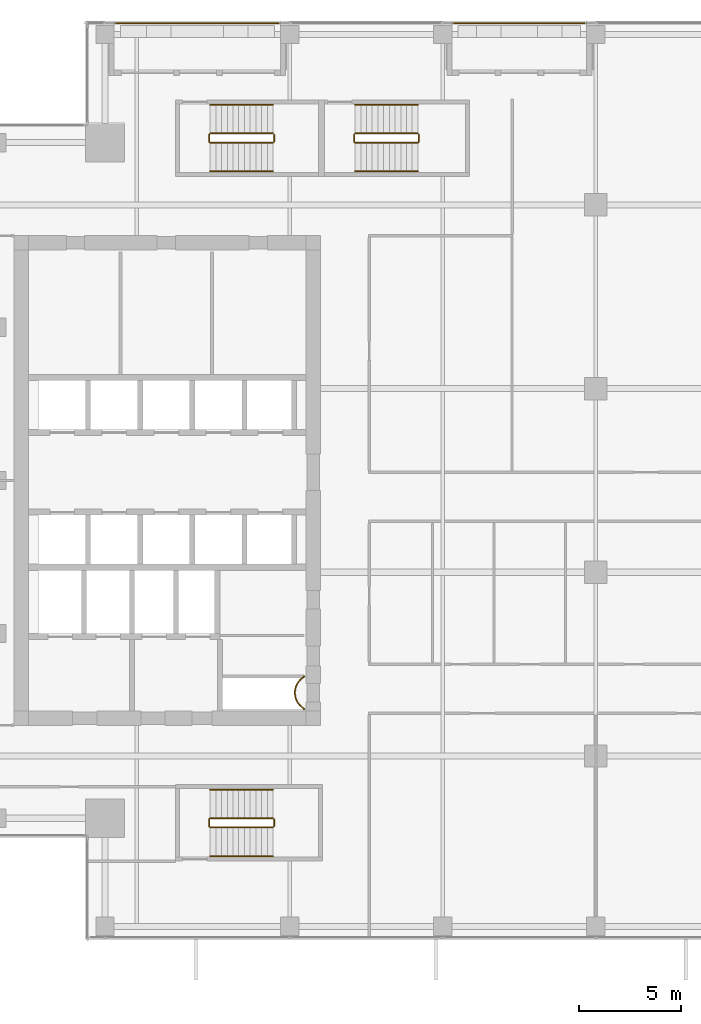
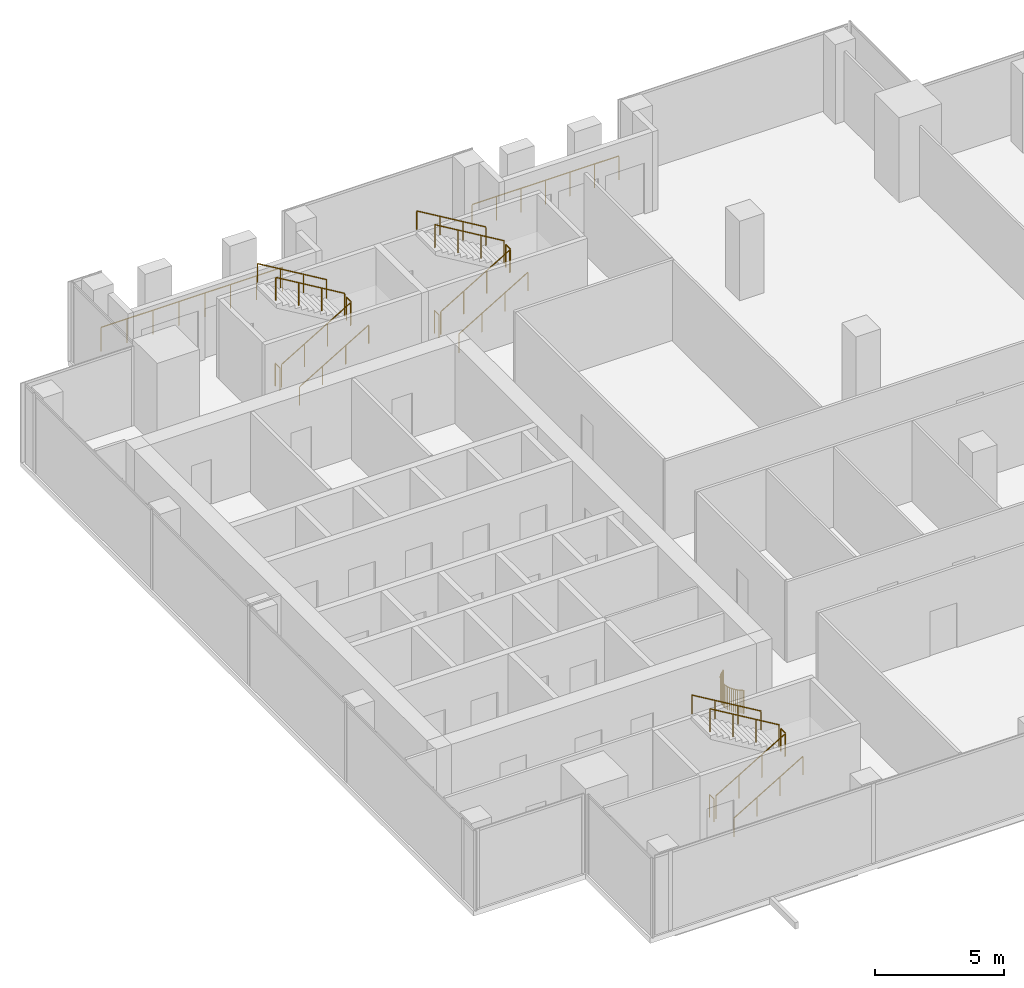
# One storey, part 33 of 34: 21 railings.
"""IFC4 building model written with IfcOpenShell, lengths in metres."""

from ifc_helpers import new_model, si_unit, direction, frame, origin, origin_2d, place, context, subcontext, project, spatial, circle, extrude, source, transform, mapped, material, type_object, element, save


model = new_model("IFC4")

# Units and contexts
model_context = context("Model", 3, precision=1e-05, world=origin(), true_north=direction((0.0, 1.0)))
body_context = subcontext(model_context, "Body", "Model", "MODEL_VIEW")
ifc_project = project(units=[si_unit("LENGTHUNIT", "METRE"), si_unit("AREAUNIT", "SQUARE_METRE"), si_unit("VOLUMEUNIT", "CUBIC_METRE"), si_unit("PLANEANGLEUNIT", "RADIAN"), si_unit("MASSUNIT", "GRAM", prefix="KILO")], contexts=[model_context])

# Site, building, storey
site_placement = place(None, origin())
site = spatial("IfcSite", under=ifc_project, at=site_placement, CompositionType="ELEMENT")
building_placement = place(site_placement, origin())
building = spatial("IfcBuilding", under=site, at=building_placement, Name="Khomas Fold Tower", CompositionType="ELEMENT")
storey_placement = place(building_placement, frame((0.0, 0.0, 242.199951171875)))
storey = spatial("IfcBuildingStorey", under=building, at=storey_placement, Name="L54", CompositionType="ELEMENT", Elevation=242.199951171875)

# Railings
ifc_material_1 = material(Name="Powder-coated steel", Category="steel")
railing_type_1 = type_object("IfcRailingType", Name="Balcony guard", PredefinedType="GUARDRAIL", material=ifc_material_1)
shared_shape_1 = source(origin(), body_context, "Body", "SweptSolid", [
    extrude(circle(Radius=0.02490234375, at=origin_2d()), frame((0.0, 0.0, 1.125), z_axis=(1.0, 0.0, 0.0), x_axis=(0.0, 1.0, 0.0)), (0.0, 0.0, 1.0), 8.090087890625),
    extrude(circle(Radius=0.02001953125, at=origin_2d()), origin(), (0.0, 0.0, 1.0), 1.099853515625),
    extrude(circle(Radius=0.02001953125, at=origin_2d()), frame((1.15576171875, 0.0, 0.0)), (0.0, 0.0, 1.0), 1.099853515625),
    extrude(circle(Radius=0.02001953125, at=origin_2d()), frame((2.3115234375, 0.0, 0.0)), (0.0, 0.0, 1.0), 1.099853515625),
    extrude(circle(Radius=0.02001953125, at=origin_2d()), frame((3.46728515625, 0.0, 0.0)), (0.0, 0.0, 1.0), 1.099853515625),
    extrude(circle(Radius=0.02001953125, at=origin_2d()), frame((4.622802734375, 0.0, 0.0)), (0.0, 0.0, 1.0), 1.099853515625),
    extrude(circle(Radius=0.02001953125, at=origin_2d()), frame((5.778564453125, 0.0, 0.0)), (0.0, 0.0, 1.0), 1.099853515625),
    extrude(circle(Radius=0.02001953125, at=origin_2d()), frame((6.934326171875, 0.0, 0.0)), (0.0, 0.0, 1.0), 1.099853515625),
    extrude(circle(Radius=0.02001953125, at=origin_2d()), frame((8.090087890625, 0.0, 0.0)), (0.0, 0.0, 1.0), 1.099853515625),
])
railing_1_placement = place(storey_placement, frame((10.929931640625, 49.39990234375, -0.044921875)))
element("IfcRailing", 1, at=railing_1_placement, inside=storey, type_object=railing_type_1, Name="Balcony guard BAL-L54-N1", PredefinedType="GUARDRAIL", context=body_context, shape_type="MappedRepresentation", body=[
    mapped(shared_shape_1, transform((0.0, 0.0, 0.0))),
])
shared_shape_2 = source(origin(), body_context, "Body", "SweptSolid", [
    extrude(circle(Radius=0.02490234375, at=origin_2d()), frame((0.0, 0.0, 1.125), z_axis=(1.0, 0.0, 0.0), x_axis=(0.0, 1.0, 0.0)), (0.0, 0.0, 1.0), 6.5400390625),
    extrude(circle(Radius=0.02001953125, at=origin_2d()), origin(), (0.0, 0.0, 1.0), 1.099853515625),
    extrude(circle(Radius=0.02001953125, at=origin_2d()), frame((1.090087890625, 0.0, 0.0)), (0.0, 0.0, 1.0), 1.099853515625),
    extrude(circle(Radius=0.02001953125, at=origin_2d()), frame((2.179931640625, 0.0, 0.0)), (0.0, 0.0, 1.0), 1.099853515625),
    extrude(circle(Radius=0.02001953125, at=origin_2d()), frame((3.27001953125, 0.0, 0.0)), (0.0, 0.0, 1.0), 1.099853515625),
    extrude(circle(Radius=0.02001953125, at=origin_2d()), frame((4.360107421875, 0.0, 0.0)), (0.0, 0.0, 1.0), 1.099853515625),
    extrude(circle(Radius=0.02001953125, at=origin_2d()), frame((5.449951171875, 0.0, 0.0)), (0.0, 0.0, 1.0), 1.099853515625),
    extrude(circle(Radius=0.02001953125, at=origin_2d()), frame((6.5400390625, 0.0, 0.0)), (0.0, 0.0, 1.0), 1.099853515625),
])
railing_2_placement = place(storey_placement, frame((27.47998046875, 49.39990234375, -0.044921875)))
element("IfcRailing", 2, at=railing_2_placement, inside=storey, type_object=railing_type_1, Name="Balcony guard BAL-L54-N3", PredefinedType="GUARDRAIL", context=body_context, shape_type="MappedRepresentation", body=[
    mapped(shared_shape_2, transform((0.0, 0.0, 0.0))),
])
ifc_material_2 = material(Name="Steel balustrade", Category="steel")
railing_type_2 = type_object("IfcRailingType", Name="Stair guard", PredefinedType="GUARDRAIL", material=ifc_material_2)
shared_shape_3 = source(origin(), body_context, "Body", "SweptSolid", [
    extrude(circle(Radius=0.02392578125, at=origin_2d()), frame((0.0, 0.0, 1.076171875), z_axis=(0.0, 1.0, 0.0), x_axis=(-1.0, 0.0, 0.0)), (0.0, 0.0, 1.0), 0.349853515625),
    extrude(circle(Radius=0.02099609375, at=origin_2d()), origin(), (0.0, 0.0, 1.0), 1.052001953125),
    extrude(circle(Radius=0.02099609375, at=origin_2d()), frame((0.0, 0.349853515625, 0.0)), (0.0, 0.0, 1.0), 1.052001953125),
])
for number, where, name in (
    (3, (18.72998046875, 43.60009765625, 2.0), "L54 ST1 stair guard 2"),
    (4, (15.550048828125, 43.60009765625, 0.0), "L54 ST1 stair guard 4"),
    (5, (18.72998046875, 10.050048828125, 2.0), "L54 ST2 stair guard 2"),
    (6, (15.550048828125, 10.050048828125, 0.0), "L54 ST2 stair guard 4"),
    (7, (25.830078125, 43.60009765625, 2.0), "L54 ST3 stair guard 2"),
    (8, (22.64990234375, 43.60009765625, 0.0), "L54 ST3 stair guard 4"),
):
    element("IfcRailing", number, at=place(storey_placement, frame(where)), inside=storey, type_object=railing_type_2, Name=name, PredefinedType="GUARDRAIL", context=body_context, shape_type="MappedRepresentation", body=[
        mapped(shared_shape_3, transform((0.0, 0.0, 0.0))),
    ])
shared_shape_4 = source(origin(), body_context, "Body", "SweptSolid", [
    extrude(circle(Radius=0.02392578125, at=origin_2d()), frame((0.0, 0.0, 1.076171875), z_axis=(0.859290745958, 0.0, 0.51148745235), x_axis=(0.0, 1.0, 0.0)), (0.0, 0.0, 1.0), 3.584228515625),
    extrude(circle(Radius=0.02099609375, at=origin_2d()), origin(), (0.0, 0.0, 1.0), 1.052001953125),
    extrude(circle(Radius=0.02099609375, at=origin_2d()), frame((1.026611328125, 0.0, 0.611083984375)), (0.0, 0.0, 1.0), 1.052001953125),
    extrude(circle(Radius=0.02099609375, at=origin_2d()), frame((2.05322265625, 0.0, 1.22216796875)), (0.0, 0.0, 1.0), 1.052001953125),
    extrude(circle(Radius=0.02099609375, at=origin_2d()), frame((3.079833984375, 0.0, 1.833251953125)), (0.0, 0.0, 1.0), 1.052001953125),
])
for number, where, name in (
    (9, (15.60009765625, 43.550048828125, 0.166748046875), "L54 ST1 stair guard 1"),
    (10, (15.60009765625, 10.0, 0.166748046875), "L54 ST2 stair guard 1"),
):
    element("IfcRailing", number, at=place(storey_placement, frame(where)), inside=storey, type_object=railing_type_2, Name=name, PredefinedType="GUARDRAIL", context=body_context, shape_type="MappedRepresentation", body=[
        mapped(shared_shape_4, transform((0.0, 0.0, 0.0))),
    ])
shared_shape_5 = source(origin(), body_context, "Body", "SweptSolid", [
    extrude(circle(Radius=0.02392578125, at=origin_2d()), frame((0.0, 0.0, 1.076171875), z_axis=(-0.859290745958, 0.0, 0.51148745235), x_axis=(0.0, -1.0, 0.0)), (0.0, 0.0, 1.0), 3.584228515625),
    extrude(circle(Radius=0.02099609375, at=origin_2d()), origin(), (0.0, 0.0, 1.0), 1.052001953125),
    extrude(circle(Radius=0.02099609375, at=origin_2d()), frame((-1.026611328125, 0.0, 0.611083984375)), (0.0, 0.0, 1.0), 1.052001953125),
    extrude(circle(Radius=0.02099609375, at=origin_2d()), frame((-2.05322265625, 0.0, 1.22216796875)), (0.0, 0.0, 1.0), 1.052001953125),
    extrude(circle(Radius=0.02099609375, at=origin_2d()), frame((-3.079833984375, 0.0, 1.833251953125)), (0.0, 0.0, 1.0), 1.052001953125),
])
for number, where, name in (
    (11, (18.679931640625, 44.0, 2.166748046875), "L54 ST1 stair guard 3"),
    (12, (18.679931640625, 10.449951171875, 2.166748046875), "L54 ST2 stair guard 3"),
):
    element("IfcRailing", number, at=place(storey_placement, frame(where)), inside=storey, type_object=railing_type_2, Name=name, PredefinedType="GUARDRAIL", context=body_context, shape_type="MappedRepresentation", body=[
        mapped(shared_shape_5, transform((0.0, 0.0, 0.0))),
    ])
ifc_material_3 = material(Name="Steel handrail", Category="steel")
railing_type_3 = type_object("IfcRailingType", Name="Stair handrail", PredefinedType="HANDRAIL", material=ifc_material_3)
shared_shape_6 = source(origin(), body_context, "Body", "SweptSolid", [
    extrude(circle(Radius=0.02392578125, at=origin_2d()), frame((0.0, 0.0, 0.8759765625), z_axis=(0.859290745958, 0.0, 0.51148745235), x_axis=(0.0, 1.0, 0.0)), (0.0, 0.0, 1.0), 3.584228515625),
    extrude(circle(Radius=0.02099609375, at=origin_2d()), origin(), (0.0, 0.0, 1.0), 0.851806640625),
    extrude(circle(Radius=0.02099609375, at=origin_2d()), frame((1.026611328125, 0.0, 0.611083984375)), (0.0, 0.0, 1.0), 0.851806640625),
    extrude(circle(Radius=0.02099609375, at=origin_2d()), frame((2.05322265625, 0.0, 1.22216796875)), (0.0, 0.0, 1.0), 0.851806640625),
    extrude(circle(Radius=0.02099609375, at=origin_2d()), frame((3.079833984375, 0.0, 1.833251953125)), (0.0, 0.0, 1.0), 0.851806640625),
])
for number, where, name in (
    (13, (15.60009765625, 42.14990234375, 0.166748046875), "L54 ST1 stair handrail 1"),
    (14, (15.60009765625, 8.60009765625, 0.166748046875), "L54 ST2 stair handrail 1"),
):
    element("IfcRailing", number, at=place(storey_placement, frame(where)), inside=storey, type_object=railing_type_3, Name=name, PredefinedType="HANDRAIL", context=body_context, shape_type="MappedRepresentation", body=[
        mapped(shared_shape_6, transform((0.0, 0.0, 0.0))),
    ])
shared_shape_7 = source(origin(), body_context, "Body", "SweptSolid", [
    extrude(circle(Radius=0.02392578125, at=origin_2d()), frame((0.0, 0.0, 0.8759765625), z_axis=(-0.859290745958, 0.0, 0.51148745235), x_axis=(0.0, -1.0, 0.0)), (0.0, 0.0, 1.0), 3.584228515625),
    extrude(circle(Radius=0.02099609375, at=origin_2d()), origin(), (0.0, 0.0, 1.0), 0.851806640625),
    extrude(circle(Radius=0.02099609375, at=origin_2d()), frame((-1.026611328125, 0.0, 0.611083984375)), (0.0, 0.0, 1.0), 0.851806640625),
    extrude(circle(Radius=0.02099609375, at=origin_2d()), frame((-2.05322265625, 0.0, 1.22216796875)), (0.0, 0.0, 1.0), 0.851806640625),
    extrude(circle(Radius=0.02099609375, at=origin_2d()), frame((-3.079833984375, 0.0, 1.833251953125)), (0.0, 0.0, 1.0), 0.851806640625),
])
for number, where, name in (
    (15, (18.679931640625, 45.39990234375, 2.166748046875), "L54 ST1 stair handrail 2"),
    (16, (18.679931640625, 11.85009765625, 2.166748046875), "L54 ST2 stair handrail 2"),
):
    element("IfcRailing", number, at=place(storey_placement, frame(where)), inside=storey, type_object=railing_type_3, Name=name, PredefinedType="HANDRAIL", context=body_context, shape_type="MappedRepresentation", body=[
        mapped(shared_shape_7, transform((0.0, 0.0, 0.0))),
    ])
shared_shape_8 = source(origin(), body_context, "Body", "SweptSolid", [
    extrude(circle(Radius=0.02392578125, at=origin_2d()), frame((0.0, 0.0, 1.076171875), z_axis=(0.859308565015, 0.0, 0.511457515432), x_axis=(0.0, 1.0, 0.0)), (0.0, 0.0, 1.0), 3.58447265625),
    extrude(circle(Radius=0.02099609375, at=origin_2d()), origin(), (0.0, 0.0, 1.0), 1.052001953125),
    extrude(circle(Radius=0.02099609375, at=origin_2d()), frame((1.026611328125, 0.0, 0.611083984375)), (0.0, 0.0, 1.0), 1.052001953125),
    extrude(circle(Radius=0.02099609375, at=origin_2d()), frame((2.053466796875, 0.0, 1.22216796875)), (0.0, 0.0, 1.0), 1.052001953125),
    extrude(circle(Radius=0.02099609375, at=origin_2d()), frame((3.080078125, 0.0, 1.833251953125)), (0.0, 0.0, 1.0), 1.052001953125),
])
railing_3_placement = place(storey_placement, frame((22.699951171875, 43.550048828125, 0.166748046875)))
element("IfcRailing", 17, at=railing_3_placement, inside=storey, type_object=railing_type_2, Name="L54 ST3 stair guard 1", PredefinedType="GUARDRAIL", context=body_context, shape_type="MappedRepresentation", body=[
    mapped(shared_shape_8, transform((0.0, 0.0, 0.0))),
])
shared_shape_9 = source(origin(), body_context, "Body", "SweptSolid", [
    extrude(circle(Radius=0.02392578125, at=origin_2d()), frame((0.0, 0.0, 1.076171875), z_axis=(-0.859308565015, 0.0, 0.511457515432), x_axis=(0.0, -1.0, 0.0)), (0.0, 0.0, 1.0), 3.58447265625),
    extrude(circle(Radius=0.02099609375, at=origin_2d()), origin(), (0.0, 0.0, 1.0), 1.052001953125),
    extrude(circle(Radius=0.02099609375, at=origin_2d()), frame((-1.026611328125, 0.0, 0.611083984375)), (0.0, 0.0, 1.0), 1.052001953125),
    extrude(circle(Radius=0.02099609375, at=origin_2d()), frame((-2.053466796875, 0.0, 1.22216796875)), (0.0, 0.0, 1.0), 1.052001953125),
    extrude(circle(Radius=0.02099609375, at=origin_2d()), frame((-3.080078125, 0.0, 1.833251953125)), (0.0, 0.0, 1.0), 1.052001953125),
])
railing_4_placement = place(storey_placement, frame((25.780029296875, 44.0, 2.166748046875)))
element("IfcRailing", 18, at=railing_4_placement, inside=storey, type_object=railing_type_2, Name="L54 ST3 stair guard 3", PredefinedType="GUARDRAIL", context=body_context, shape_type="MappedRepresentation", body=[
    mapped(shared_shape_9, transform((0.0, 0.0, 0.0))),
])
shared_shape_10 = source(origin(), body_context, "Body", "SweptSolid", [
    extrude(circle(Radius=0.02392578125, at=origin_2d()), frame((0.0, 0.0, 0.8759765625), z_axis=(0.859308565015, 0.0, 0.511457515432), x_axis=(0.0, 1.0, 0.0)), (0.0, 0.0, 1.0), 3.58447265625),
    extrude(circle(Radius=0.02099609375, at=origin_2d()), origin(), (0.0, 0.0, 1.0), 0.851806640625),
    extrude(circle(Radius=0.02099609375, at=origin_2d()), frame((1.026611328125, 0.0, 0.611083984375)), (0.0, 0.0, 1.0), 0.851806640625),
    extrude(circle(Radius=0.02099609375, at=origin_2d()), frame((2.053466796875, 0.0, 1.22216796875)), (0.0, 0.0, 1.0), 0.851806640625),
    extrude(circle(Radius=0.02099609375, at=origin_2d()), frame((3.080078125, 0.0, 1.833251953125)), (0.0, 0.0, 1.0), 0.851806640625),
])
railing_5_placement = place(storey_placement, frame((22.699951171875, 42.14990234375, 0.166748046875)))
element("IfcRailing", 19, at=railing_5_placement, inside=storey, type_object=railing_type_3, Name="L54 ST3 stair handrail 1", PredefinedType="HANDRAIL", context=body_context, shape_type="MappedRepresentation", body=[
    mapped(shared_shape_10, transform((0.0, 0.0, 0.0))),
])
shared_shape_11 = source(origin(), body_context, "Body", "SweptSolid", [
    extrude(circle(Radius=0.02392578125, at=origin_2d()), frame((0.0, 0.0, 0.8759765625), z_axis=(-0.859308565015, 0.0, 0.511457515432), x_axis=(0.0, -1.0, 0.0)), (0.0, 0.0, 1.0), 3.58447265625),
    extrude(circle(Radius=0.02099609375, at=origin_2d()), origin(), (0.0, 0.0, 1.0), 0.851806640625),
    extrude(circle(Radius=0.02099609375, at=origin_2d()), frame((-1.026611328125, 0.0, 0.611083984375)), (0.0, 0.0, 1.0), 0.851806640625),
    extrude(circle(Radius=0.02099609375, at=origin_2d()), frame((-2.053466796875, 0.0, 1.22216796875)), (0.0, 0.0, 1.0), 0.851806640625),
    extrude(circle(Radius=0.02099609375, at=origin_2d()), frame((-3.080078125, 0.0, 1.833251953125)), (0.0, 0.0, 1.0), 0.851806640625),
])
railing_6_placement = place(storey_placement, frame((25.780029296875, 45.39990234375, 2.166748046875)))
element("IfcRailing", 20, at=railing_6_placement, inside=storey, type_object=railing_type_3, Name="L54 ST3 stair handrail 2", PredefinedType="HANDRAIL", context=body_context, shape_type="MappedRepresentation", body=[
    mapped(shared_shape_11, transform((0.0, 0.0, 0.0))),
])
ifc_material_4 = material(Name="Steel balustrade", Category="steel")
railing_type_4 = type_object("IfcRailingType", Name="Shaft guard", PredefinedType="GUARDRAIL", material=ifc_material_4)
shared_shape_12 = source(origin(), body_context, "Body", "SweptSolid", [
    extrude(circle(Radius=0.02490234375, at=origin_2d()), frame((0.0, 0.0, 1.0751953125), z_axis=(1.0, 0.0, 0.0), x_axis=(0.0, 1.0, 0.0)), (0.0, 0.0, 1.0), 0.02197265625),
    extrude(circle(Radius=0.02490234375, at=origin_2d()), frame((0.02197265625, 0.0, 1.0751953125), z_axis=(0.0, -1.0, 0.0), x_axis=(1.0, 0.0, 0.0)), (0.0, 0.0, 1.0), 0.021484375),
    extrude(circle(Radius=0.02490234375, at=origin_2d()), frame((0.02197265625, -0.021484375, 1.0751953125), z_axis=(-0.857492925713, -0.514495755428, 0.0), x_axis=(0.514495755428, -0.857492925713, 0.0)), (0.0, 0.0, 1.0), 0.058349609375),
    extrude(circle(Radius=0.02490234375, at=origin_2d()), frame((-0.028076171875, -0.051513671875, 1.0751953125), z_axis=(-0.801986734315, -0.597341843489, 0.0), x_axis=(0.597341843489, -0.801986734315, 0.0)), (0.0, 0.0, 1.0), 0.08837890625),
    extrude(circle(Radius=0.02490234375, at=origin_2d()), frame((-0.098876953125, -0.104248046875, 1.0751953125), z_axis=(-0.740814996175, -0.671709119666, 0.0), x_axis=(0.671709119666, -0.740814996175, 0.0)), (0.0, 0.0, 1.0), 0.08837890625),
    extrude(circle(Radius=0.02490234375, at=origin_2d()), frame((-0.164306640625, -0.16357421875, 1.0751953125), z_axis=(-0.671709119666, -0.740814996175, 0.0), x_axis=(0.740814996175, -0.671709119666, 0.0)), (0.0, 0.0, 1.0), 0.08837890625),
    extrude(circle(Radius=0.02490234375, at=origin_2d()), frame((-0.2236328125, -0.22900390625, 1.0751953125), z_axis=(-0.597341843489, -0.801986734315, 0.0), x_axis=(0.801986734315, -0.597341843489, 0.0)), (0.0, 0.0, 1.0), 0.08837890625),
    extrude(circle(Radius=0.02490234375, at=origin_2d()), frame((-0.2763671875, -0.2998046875, 1.0751953125), z_axis=(-0.514495755428, -0.857492925713, 0.0), x_axis=(0.857492925713, -0.514495755428, 0.0)), (0.0, 0.0, 1.0), 0.08837890625),
    extrude(circle(Radius=0.02490234375, at=origin_2d()), frame((-0.32177734375, -0.37548828125, 1.0751953125), z_axis=(-0.424999439989, -0.905193612444, 0.0), x_axis=(0.905193612444, -0.424999439989, 0.0)), (0.0, 0.0, 1.0), 0.08837890625),
    extrude(circle(Radius=0.02490234375, at=origin_2d()), frame((-0.359375, -0.45556640625, 1.0751953125), z_axis=(-0.337738989679, -0.941239807302, 0.0), x_axis=(0.941239807302, -0.337738989679, 0.0)), (0.0, 0.0, 1.0), 0.088134765625),
    extrude(circle(Radius=0.02490234375, at=origin_2d()), frame((-0.38916015625, -0.53857421875, 1.0751953125), z_axis=(-0.243185799972, -0.969979724887, 0.0), x_axis=(0.969979724887, -0.243185799972, 0.0)), (0.0, 0.0, 1.0), 0.08837890625),
    extrude(circle(Radius=0.02490234375, at=origin_2d()), frame((-0.41064453125, -0.624267578125, 1.0751953125), z_axis=(-0.146448518259, -0.989218293148, 0.0), x_axis=(0.989218293148, -0.146448518259, 0.0)), (0.0, 0.0, 1.0), 0.08837890625),
    extrude(circle(Radius=0.02490234375, at=origin_2d()), frame((-0.423583984375, -0.711669921875, 1.0751953125), z_axis=(-0.049799629132, -0.998759228712, 0.0), x_axis=(0.998759228712, -0.049799629132, 0.0)), (0.0, 0.0, 1.0), 0.088134765625),
    extrude(circle(Radius=0.02490234375, at=origin_2d()), frame((-0.427978515625, -0.7998046875, 1.0751953125), z_axis=(0.049662400856, -0.998766061669, 0.0), x_axis=(0.998766061669, 0.049662400856, 0.0)), (0.0, 0.0, 1.0), 0.08837890625),
    extrude(circle(Radius=0.02490234375, at=origin_2d()), frame((-0.423583984375, -0.88818359375, 1.0751953125), z_axis=(0.146448518259, -0.989218293148, 0.0), x_axis=(0.989218293148, 0.146448518259, 0.0)), (0.0, 0.0, 1.0), 0.08837890625),
    extrude(circle(Radius=0.02490234375, at=origin_2d()), frame((-0.41064453125, -0.9755859375, 1.0751953125), z_axis=(0.243185799972, -0.969979724887, 0.0), x_axis=(0.969979724887, 0.243185799972, 0.0)), (0.0, 0.0, 1.0), 0.08837890625),
    extrude(circle(Radius=0.02490234375, at=origin_2d()), frame((-0.38916015625, -1.061279296875, 1.0751953125), z_axis=(0.337738989679, -0.941239807302, 0.0), x_axis=(0.941239807302, 0.337738989679, 0.0)), (0.0, 0.0, 1.0), 0.088134765625),
    extrude(circle(Radius=0.02490234375, at=origin_2d()), frame((-0.359375, -1.144287109375, 1.0751953125), z_axis=(0.426063493689, -0.904693262573, 0.0), x_axis=(0.904693262573, 0.426063493689, 0.0)), (0.0, 0.0, 1.0), 0.088134765625),
    extrude(circle(Radius=0.02490234375, at=origin_2d()), frame((-0.32177734375, -1.22412109375, 1.0751953125), z_axis=(0.514495755428, -0.857492925713, 0.0), x_axis=(0.857492925713, 0.514495755428, 0.0)), (0.0, 0.0, 1.0), 0.08837890625),
    extrude(circle(Radius=0.02490234375, at=origin_2d()), frame((-0.2763671875, -1.2998046875, 1.0751953125), z_axis=(0.596019138224, -0.802970227885, 0.0), x_axis=(0.802970227885, 0.596019138224, 0.0)), (0.0, 0.0, 1.0), 0.08837890625),
    extrude(circle(Radius=0.02490234375, at=origin_2d()), frame((-0.2236328125, -1.370849609375, 1.0751953125), z_axis=(0.671709119666, -0.740814996175, 0.0), x_axis=(0.740814996175, 0.671709119666, 0.0)), (0.0, 0.0, 1.0), 0.08837890625),
    extrude(circle(Radius=0.02490234375, at=origin_2d()), frame((-0.164306640625, -1.436279296875, 1.0751953125), z_axis=(0.740814996175, -0.671709119666, 0.0), x_axis=(0.671709119666, 0.740814996175, 0.0)), (0.0, 0.0, 1.0), 0.08837890625),
    extrude(circle(Radius=0.02490234375, at=origin_2d()), frame((-0.098876953125, -1.49560546875, 1.0751953125), z_axis=(0.803311771616, -0.595558727233, 0.0), x_axis=(0.595558727233, 0.803311771616, 0.0)), (0.0, 0.0, 1.0), 0.088134765625),
    extrude(circle(Radius=0.02490234375, at=origin_2d()), frame((-0.028076171875, -1.548095703125, 1.0751953125), z_axis=(0.857492925713, -0.514495755428, 0.0), x_axis=(0.514495755428, 0.857492925713, 0.0)), (0.0, 0.0, 1.0), 0.058349609375),
    extrude(circle(Radius=0.02490234375, at=origin_2d()), frame((0.02197265625, -1.578125, 1.0751953125), z_axis=(0.0, -1.0, 0.0), x_axis=(1.0, 0.0, 0.0)), (0.0, 0.0, 1.0), 0.021728515625),
    extrude(circle(Radius=0.02490234375, at=origin_2d()), frame((0.02197265625, -1.599853515625, 1.0751953125), z_axis=(-1.0, 0.0, 0.0), x_axis=(0.0, -1.0, 0.0)), (0.0, 0.0, 1.0), 0.02197265625),
    extrude(circle(Radius=0.02001953125, at=origin_2d()), origin(), (0.0, 0.0, 1.0), 1.050048828125),
    extrude(circle(Radius=0.02001953125, at=origin_2d()), frame((0.02197265625, 0.0, 0.0)), (0.0, 0.0, 1.0), 1.050048828125),
    extrude(circle(Radius=0.02001953125, at=origin_2d()), frame((0.02197265625, -0.021484375, 0.0)), (0.0, 0.0, 1.0), 1.050048828125),
    extrude(circle(Radius=0.02001953125, at=origin_2d()), frame((-0.028076171875, -0.051513671875, 0.0)), (0.0, 0.0, 1.0), 1.050048828125),
    extrude(circle(Radius=0.02001953125, at=origin_2d()), frame((-0.098876953125, -0.104248046875, 0.0)), (0.0, 0.0, 1.0), 1.050048828125),
    extrude(circle(Radius=0.02001953125, at=origin_2d()), frame((-0.164306640625, -0.16357421875, 0.0)), (0.0, 0.0, 1.0), 1.050048828125),
    extrude(circle(Radius=0.02001953125, at=origin_2d()), frame((-0.2236328125, -0.22900390625, 0.0)), (0.0, 0.0, 1.0), 1.050048828125),
    extrude(circle(Radius=0.02001953125, at=origin_2d()), frame((-0.2763671875, -0.2998046875, 0.0)), (0.0, 0.0, 1.0), 1.050048828125),
    extrude(circle(Radius=0.02001953125, at=origin_2d()), frame((-0.32177734375, -0.37548828125, 0.0)), (0.0, 0.0, 1.0), 1.050048828125),
    extrude(circle(Radius=0.02001953125, at=origin_2d()), frame((-0.359375, -0.45556640625, 0.0)), (0.0, 0.0, 1.0), 1.050048828125),
    extrude(circle(Radius=0.02001953125, at=origin_2d()), frame((-0.38916015625, -0.53857421875, 0.0)), (0.0, 0.0, 1.0), 1.050048828125),
    extrude(circle(Radius=0.02001953125, at=origin_2d()), frame((-0.41064453125, -0.624267578125, 0.0)), (0.0, 0.0, 1.0), 1.050048828125),
    extrude(circle(Radius=0.02001953125, at=origin_2d()), frame((-0.423583984375, -0.711669921875, 0.0)), (0.0, 0.0, 1.0), 1.050048828125),
    extrude(circle(Radius=0.02001953125, at=origin_2d()), frame((-0.427978515625, -0.7998046875, 0.0)), (0.0, 0.0, 1.0), 1.050048828125),
    extrude(circle(Radius=0.02001953125, at=origin_2d()), frame((-0.423583984375, -0.88818359375, 0.0)), (0.0, 0.0, 1.0), 1.050048828125),
    extrude(circle(Radius=0.02001953125, at=origin_2d()), frame((-0.41064453125, -0.9755859375, 0.0)), (0.0, 0.0, 1.0), 1.050048828125),
    extrude(circle(Radius=0.02001953125, at=origin_2d()), frame((-0.38916015625, -1.061279296875, 0.0)), (0.0, 0.0, 1.0), 1.050048828125),
    extrude(circle(Radius=0.02001953125, at=origin_2d()), frame((-0.359375, -1.144287109375, 0.0)), (0.0, 0.0, 1.0), 1.050048828125),
    extrude(circle(Radius=0.02001953125, at=origin_2d()), frame((-0.32177734375, -1.22412109375, 0.0)), (0.0, 0.0, 1.0), 1.050048828125),
    extrude(circle(Radius=0.02001953125, at=origin_2d()), frame((-0.2763671875, -1.2998046875, 0.0)), (0.0, 0.0, 1.0), 1.050048828125),
    extrude(circle(Radius=0.02001953125, at=origin_2d()), frame((-0.2236328125, -1.370849609375, 0.0)), (0.0, 0.0, 1.0), 1.050048828125),
    extrude(circle(Radius=0.02001953125, at=origin_2d()), frame((-0.164306640625, -1.436279296875, 0.0)), (0.0, 0.0, 1.0), 1.050048828125),
    extrude(circle(Radius=0.02001953125, at=origin_2d()), frame((-0.098876953125, -1.49560546875, 0.0)), (0.0, 0.0, 1.0), 1.050048828125),
    extrude(circle(Radius=0.02001953125, at=origin_2d()), frame((-0.028076171875, -1.548095703125, 0.0)), (0.0, 0.0, 1.0), 1.050048828125),
    extrude(circle(Radius=0.02001953125, at=origin_2d()), frame((0.02197265625, -1.578125, 0.0)), (0.0, 0.0, 1.0), 1.050048828125),
    extrude(circle(Radius=0.02001953125, at=origin_2d()), frame((0.02197265625, -1.599853515625, 0.0)), (0.0, 0.0, 1.0), 1.050048828125),
    extrude(circle(Radius=0.02001953125, at=origin_2d()), frame((0.0, -1.599853515625, 0.0)), (0.0, 0.0, 1.0), 1.050048828125),
])
railing_7_placement = place(storey_placement, frame((20.177978515625, 17.39990234375, 0.0)))
element("IfcRailing", 21, at=railing_7_placement, inside=storey, type_object=railing_type_4, Name="Shaft guard L54 1", PredefinedType="GUARDRAIL", context=body_context, shape_type="MappedRepresentation", body=[
    mapped(shared_shape_12, transform((0.0, 0.0, 0.0))),
])

save(model, "model.ifc")
